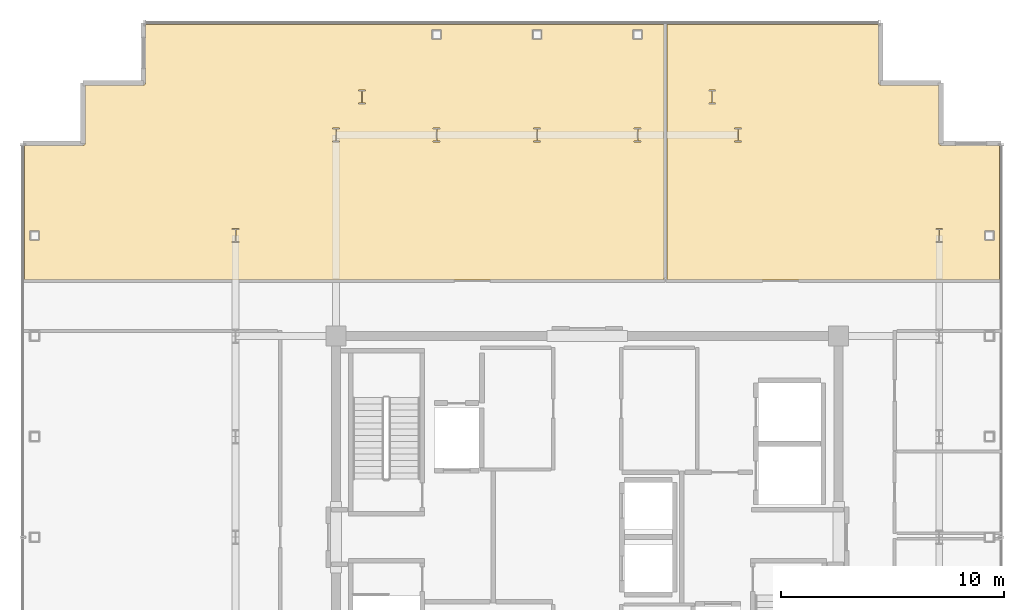
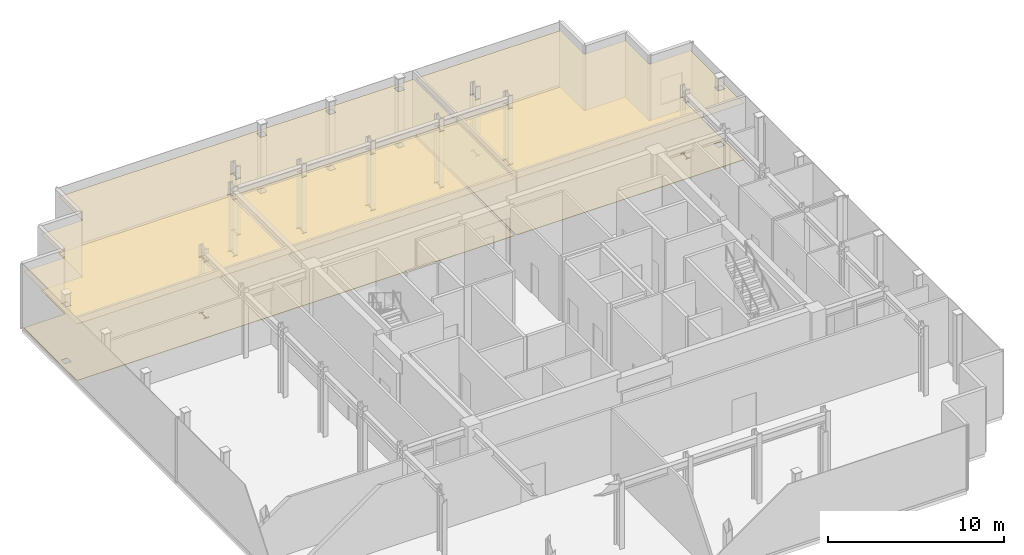
# One storey, part 17 of 17: 4 coverings.
"""IFC4 building model written with IfcOpenShell, lengths in metres."""

import ifcopenshell
import ifcopenshell.guid

model = None  # the IFC model being written
_history = None  # IfcOwnerHistory: only IFC2X3 demands one
_inside = {}  # id of a spatial element -> (the spatial element, [elements in it])
_under = {}  # id of a project, library or spatial element -> (it, [spatial elements below it])
_declared = {}  # id of a project -> (the project, [libraries it declares])
_typed = {}  # id of a type object -> (the type object, [elements of that type])
_made_of = {}  # id of a material, layer set ... -> (it, [elements and type objects made of it])


def new_model(schema):
    """Start an empty IFC model of exactly this schema.

    Asked for "IFC4X3", IfcOpenShell would pick the latest addendum, in which some entities
    have other attributes; the version numbers below select the first issue.
    IFC2X3 requires an IfcOwnerHistory on every rooted entity: one is made here for all.
    """
    global model, _history
    if schema == "IFC4X3":
        model = ifcopenshell.file(schema_version=(4, 3, 0, 0))
    else:
        model = ifcopenshell.file(schema=schema)
    _inside.clear()
    _under.clear()
    _declared.clear()
    _typed.clear()
    _made_of.clear()
    _history = None
    if model.schema == "IFC2X3":
        org = make("IfcOrganization", Name="unknown")
        user = make(
            "IfcPersonAndOrganization",
            ThePerson=make("IfcPerson", FamilyName="unknown"),
            TheOrganization=org,
        )
        app = make(
            "IfcApplication",
            ApplicationDeveloper=org,
            Version="unknown",
            ApplicationFullName="unknown",
            ApplicationIdentifier="unknown",
        )
        _history = make(
            "IfcOwnerHistory",
            OwningUser=user,
            OwningApplication=app,
            ChangeAction="ADDED",
            CreationDate=0,
        )
    return model


def make(cls, **values):
    """One entity of the class cls with the attributes given. An attribute that is None is left unset."""
    return model.create_entity(
        cls, **{name: value for name, value in values.items() if value is not None}
    )


def rooted(cls, **values):
    """An entity with a GlobalId (a new one), such as an element, a storey or a relation."""
    return make(cls, GlobalId=ifcopenshell.guid.new(), OwnerHistory=_history, **values)


def si_unit(unit_type, name, prefix=None):
    """IfcSIUnit, for example si_unit("LENGTHUNIT", "METRE", prefix="MILLI")."""
    return make("IfcSIUnit", UnitType=unit_type, Prefix=prefix, Name=name)


def assignment(units):
    """IfcUnitAssignment: the units of a project."""
    return None if units is None else make("IfcUnitAssignment", Units=units)


def point(xyz):
    """IfcCartesianPoint."""
    return None if xyz is None else make("IfcCartesianPoint", Coordinates=xyz)


def direction(xyz):
    """IfcDirection."""
    return None if xyz is None else make("IfcDirection", DirectionRatios=xyz)


def frame(location, z_axis=None, x_axis=None):
    """IfcAxis2Placement3D, a coordinate frame: its origin and axes. An axis left out is left unset."""
    return make(
        "IfcAxis2Placement3D",
        Location=point(location),
        Axis=direction(z_axis),
        RefDirection=direction(x_axis),
    )


def origin():
    """The frame at (0, 0, 0) with its axes left unset."""
    return frame((0.0, 0.0, 0.0))


def place(relative_to, where):
    """IfcLocalPlacement: puts the frame where relative to a parent placement (None: the world)."""
    return make(
        "IfcLocalPlacement", PlacementRelTo=relative_to, RelativePlacement=where
    )


def context(
    kind, dimensions, precision=None, world=None, true_north=None, identifier=None
):
    """IfcGeometricRepresentationContext, for example the 3D "Model" context."""
    return make(
        "IfcGeometricRepresentationContext",
        ContextIdentifier=identifier,
        ContextType=kind,
        CoordinateSpaceDimension=dimensions,
        Precision=precision,
        WorldCoordinateSystem=world,
        TrueNorth=true_north,
    )


def subcontext(parent, identifier, kind, view, scale=None):
    """IfcGeometricRepresentationSubContext, for example "Body" below "Model"."""
    return make(
        "IfcGeometricRepresentationSubContext",
        ContextIdentifier=identifier,
        ContextType=kind,
        ParentContext=parent,
        TargetScale=scale,
        TargetView=view,
    )


def project(units=None, contexts=None):
    """IfcProject with its units and contexts."""
    return rooted(
        "IfcProject",
        Name="project",
        RepresentationContexts=contexts,
        UnitsInContext=assignment(units),
    )


def spatial(cls, under=None, at=None, **own):
    """A site, building, storey or space (cls), placed at a placement, below another one or the project."""
    s = rooted(cls, ObjectPlacement=at, **own)
    if under is not None:
        _under.setdefault(under.id(), (under, []))[1].append(s)
    return s


def polyline(points):
    """IfcPolyline through the points."""
    return make("IfcPolyline", Points=[point(p) for p in points])


def outline(outer, holes=None, kind="AREA"):
    """IfcArbitraryClosedProfileDef: a profile drawn as a closed curve; with holes, ...WithVoids."""
    if holes is None:
        return make("IfcArbitraryClosedProfileDef", ProfileType=kind, OuterCurve=outer)
    return make(
        "IfcArbitraryProfileDefWithVoids",
        ProfileType=kind,
        OuterCurve=outer,
        InnerCurves=holes,
    )


def extrude(swept, where, along, depth):
    """IfcExtrudedAreaSolid: the profile swept, set in the frame where, extruded along a direction by depth."""
    return make(
        "IfcExtrudedAreaSolid",
        SweptArea=swept,
        Position=where,
        ExtrudedDirection=direction(along),
        Depth=depth,
    )


def shape(context_of_items, identifier, shape_type, items):
    """IfcShapeRepresentation: the items that make up one representation, for example the "Body"."""
    return make(
        "IfcShapeRepresentation",
        ContextOfItems=context_of_items,
        RepresentationIdentifier=identifier,
        RepresentationType=shape_type,
        Items=items,
    )


def material(Name=None, Category=None):
    """IfcMaterial."""
    return make("IfcMaterial", Name=Name, Category=Category)


def layer(
    of_material, thickness, ventilated=None, Name=None, Category=None, Priority=None
):
    """IfcMaterialLayer: one layer of a wall or slab, of a material (None: an air gap)."""
    return make(
        "IfcMaterialLayer",
        Material=of_material,
        LayerThickness=thickness,
        IsVentilated=ventilated,
        Name=Name,
        Category=Category,
        Priority=Priority,
    )


def layer_set(layers, Name=None):
    """IfcMaterialLayerSet."""
    return make("IfcMaterialLayerSet", MaterialLayers=layers, LayerSetName=Name)


def made_of(thing, what):
    """Note that an element or type object is made of a material, layer set ...; save() writes the relation."""
    if what is not None:
        _made_of.setdefault(what.id(), (what, []))[1].append(thing)
    return thing


def type_object(cls, material=None, **own):
    """A type object (cls), such as IfcWallType, which elements share."""
    return made_of(rooted(cls, **own), material)


def element(
    cls,
    number,
    at=None,
    inside=None,
    cuts=None,
    type_object=None,
    material=None,
    context=None,
    identifier="Body",
    shape_type=None,
    held_by="IfcProductDefinitionShape",
    body=None,
    shapes=None,
    **own,
):
    """One element of the class cls, such as IfcWall. Its Tag is "e" and its number.

    at: its placement. inside: the storey or other place that contains it. cuts: it is an
    opening in that element (IfcRelVoidsElement). A single representation is given by context,
    identifier, shape_type and body (its items); several are given by shapes. held_by: the class
    of the entity that holds the representations. save() writes the other relations.
    """
    e = rooted(cls, Tag="e%d" % number, ObjectPlacement=at, **own)
    if body is not None:
        shapes = [shape(context, identifier, shape_type, body)]
    if shapes is not None:
        e.Representation = make(held_by, Representations=shapes)
    if inside is not None:
        _inside.setdefault(inside.id(), (inside, []))[1].append(e)
    if cuts is not None:
        rooted(
            "IfcRelVoidsElement", RelatingBuildingElement=cuts, RelatedOpeningElement=e
        )
    if type_object is not None:
        _typed.setdefault(type_object.id(), (type_object, []))[1].append(e)
    return made_of(e, material)


def aggregate(whole, parts):
    """IfcRelAggregates: a whole, such as a stair, and the parts it consists of."""
    return rooted("IfcRelAggregates", RelatingObject=whole, RelatedObjects=parts)


def save(model, path):
    """Write the relations noted so far, then the file.

    IfcRelAggregates (storeys below a building ...), IfcRelContainedInSpatialStructure (elements
    in a storey), IfcRelDefinesByType, IfcRelAssociatesMaterial and IfcRelDeclares: one each for
    every whole, place, type object, material and project.
    """
    for whole, parts in _under.values():
        aggregate(whole, parts)
    for where, things in _inside.values():
        rooted(
            "IfcRelContainedInSpatialStructure",
            RelatedElements=things,
            RelatingStructure=where,
        )
    for kind, things in _typed.values():
        rooted("IfcRelDefinesByType", RelatedObjects=things, RelatingType=kind)
    for what, things in _made_of.values():
        rooted("IfcRelAssociatesMaterial", RelatedObjects=things, RelatingMaterial=what)
    for by, libraries in _declared.values():
        rooted("IfcRelDeclares", RelatingContext=by, RelatedDefinitions=libraries)
    model.write(path)


model = new_model("IFC4")

# Units and contexts
model_context = context("Model", 3, precision=1e-05, world=origin(), true_north=direction((0.0, 1.0)))
body_context = subcontext(model_context, "Body", "Model", "MODEL_VIEW")
ifc_project = project(units=[si_unit("LENGTHUNIT", "METRE"), si_unit("AREAUNIT", "SQUARE_METRE"), si_unit("VOLUMEUNIT", "CUBIC_METRE"), si_unit("PLANEANGLEUNIT", "RADIAN"), si_unit("MASSUNIT", "GRAM", prefix="KILO")], contexts=[model_context])

# Site, building, storey
site_placement = place(None, origin())
site = spatial("IfcSite", under=ifc_project, at=site_placement, CompositionType="ELEMENT")
building_placement = place(site_placement, origin())
building = spatial("IfcBuilding", under=site, at=building_placement, Name="Nefas-Gora Pilgrimage Tower", CompositionType="ELEMENT")
storey_placement = place(building_placement, frame((0.0, 0.0, 353.800048828125)))
storey = spatial("IfcBuildingStorey", under=building, at=storey_placement, Name="L89", CompositionType="ELEMENT", Elevation=353.800048828125)

# Coverings
ifc_material_1 = material(Name="Perforated gypsum acoustic ceiling")
ifc_layer_1 = layer(ifc_material_1, 0.02490234375)
ifc_layer_set_1 = layer_set([ifc_layer_1], Name="Perforated gypsum acoustic ceiling")
covering_type_1 = type_object("IfcCoveringType", Name="COV-CEIL-ACOUST", PredefinedType="CEILING", material=ifc_layer_set_1)
covering_1_placement = place(storey_placement, frame((0.0, 0.0, 3.905029296875)))
element("IfcCovering", 1, at=covering_1_placement, inside=storey, type_object=covering_type_1, Name="L89 Acoustic Suspended Ceiling (Addis Ababa North Horizon Observation Deck)", PredefinedType="CEILING", context=body_context, shape_type="SweptSolid", body=[
    extrude(outline(polyline([(-25.18994140625, 17.5400390625), (-25.18994140625, 11.510009765625), (-13.719970703125, 11.510009765625), (3.43994140625, 11.510009765625), (3.43994140625, 22.93994140625), (-19.7900390625, 22.93994140625), (-19.7900390625, 20.320068359375), (-19.790283203125, 20.312255859375), (-19.79150390625, 20.304443359375), (-19.79345703125, 20.296875), (-19.796142578125, 20.289306640625), (-19.79931640625, 20.2822265625), (-19.803466796875, 20.275634765625), (-19.80810546875, 20.269287109375), (-19.8134765625, 20.263427734375), (-19.819091796875, 20.25830078125), (-19.82568359375, 20.25341796875), (-19.832275390625, 20.24951171875), (-19.83935546875, 20.24609375), (-19.8466796875, 20.243408203125), (-19.8544921875, 20.241455078125), (-19.8623046875, 20.240478515625), (-19.8701171875, 20.239990234375), (-22.489990234375, 20.239990234375), (-22.489990234375, 17.6201171875), (-22.490478515625, 17.6123046875), (-22.491455078125, 17.6044921875), (-22.493408203125, 17.5966796875), (-22.49609375, 17.58935546875), (-22.49951171875, 17.582275390625), (-22.50341796875, 17.57568359375), (-22.50830078125, 17.569091796875), (-22.513427734375, 17.5634765625), (-22.519287109375, 17.55810546875), (-22.525634765625, 17.553466796875), (-22.5322265625, 17.54931640625), (-22.539306640625, 17.546142578125), (-22.546875, 17.54345703125), (-22.554443359375, 17.54150390625), (-22.562255859375, 17.540283203125), (-22.570068359375, 17.5400390625), (-25.18994140625, 17.5400390625)]), holes=[polyline([(2.451904296875, 22.701904296875), (2.451904296875, 22.298095703125), (2.048095703125, 22.298095703125), (2.048095703125, 22.701904296875), (2.451904296875, 22.701904296875)]), polyline([(2.404541015625, 18.31201171875), (2.404541015625, 18.26806640625), (2.262451171875, 18.26806640625), (2.262451171875, 17.73193359375), (2.404541015625, 17.73193359375), (2.404541015625, 17.68798828125), (2.095458984375, 17.68798828125), (2.095458984375, 17.73193359375), (2.237548828125, 17.73193359375), (2.237548828125, 18.26806640625), (2.095458984375, 18.26806640625), (2.095458984375, 18.31201171875), (2.404541015625, 18.31201171875)]), polyline([(-2.048095703125, 22.701904296875), (-2.048095703125, 22.298095703125), (-2.451904296875, 22.298095703125), (-2.451904296875, 22.701904296875), (-2.048095703125, 22.701904296875)]), polyline([(-2.404541015625, 18.31201171875), (-2.095458984375, 18.31201171875), (-2.095458984375, 18.26806640625), (-2.237548828125, 18.26806640625), (-2.237548828125, 17.73193359375), (-2.095458984375, 17.73193359375), (-2.095458984375, 17.68798828125), (-2.404541015625, 17.68798828125), (-2.404541015625, 17.73193359375), (-2.262451171875, 17.73193359375), (-2.262451171875, 18.26806640625), (-2.404541015625, 18.26806640625), (-2.404541015625, 18.31201171875)]), polyline([(-6.548095703125, 22.701904296875), (-6.548095703125, 22.298095703125), (-6.951904296875, 22.298095703125), (-6.951904296875, 22.701904296875), (-6.548095703125, 22.701904296875)]), polyline([(-6.595458984375, 18.31201171875), (-6.595458984375, 18.26806640625), (-6.737548828125, 18.26806640625), (-6.737548828125, 17.73193359375), (-6.595458984375, 17.73193359375), (-6.595458984375, 17.68798828125), (-6.904541015625, 17.68798828125), (-6.904541015625, 17.73193359375), (-6.762451171875, 17.73193359375), (-6.762451171875, 18.26806640625), (-6.904541015625, 18.26806640625), (-6.904541015625, 18.31201171875), (-6.595458984375, 18.31201171875)]), polyline([(-10.24560546875, 20.008056640625), (-9.9365234375, 20.008056640625), (-9.9365234375, 19.964111328125), (-10.07861328125, 19.964111328125), (-10.07861328125, 19.427978515625), (-9.9365234375, 19.427978515625), (-9.9365234375, 19.384033203125), (-10.24560546875, 19.384033203125), (-10.24560546875, 19.427978515625), (-10.103515625, 19.427978515625), (-10.103515625, 19.964111328125), (-10.24560546875, 19.964111328125), (-10.24560546875, 20.008056640625)]), polyline([(-11.095458984375, 18.31201171875), (-11.095458984375, 18.26806640625), (-11.237548828125, 18.26806640625), (-11.237548828125, 17.73193359375), (-11.095458984375, 17.73193359375), (-11.095458984375, 17.68798828125), (-11.404541015625, 17.68798828125), (-11.404541015625, 17.73193359375), (-11.262451171875, 17.73193359375), (-11.262451171875, 18.26806640625), (-11.404541015625, 18.26806640625), (-11.404541015625, 18.31201171875), (-11.095458984375, 18.31201171875)]), polyline([(-15.904541015625, 13.81201171875), (-15.595458984375, 13.81201171875), (-15.595458984375, 13.76806640625), (-15.737548828125, 13.76806640625), (-15.737548828125, 13.23193359375), (-15.595458984375, 13.23193359375), (-15.595458984375, 13.18798828125), (-15.904541015625, 13.18798828125), (-15.904541015625, 13.23193359375), (-15.762451171875, 13.23193359375), (-15.762451171875, 13.76806640625), (-15.904541015625, 13.76806640625), (-15.904541015625, 13.81201171875)]), polyline([(-24.548095703125, 13.701904296875), (-24.548095703125, 13.298095703125), (-24.951904296875, 13.298095703125), (-24.951904296875, 13.701904296875), (-24.548095703125, 13.701904296875)])]), origin(), (0.0, 0.0, 1.0), 0.02490234375),
])
covering_2_placement = place(storey_placement, frame((0.0, 0.0, 3.905029296875)))
element("IfcCovering", 2, at=covering_2_placement, inside=storey, type_object=covering_type_1, Name="L89 Acoustic Suspended Ceiling (Entoto Ridge Viewing Gallery)", PredefinedType="CEILING", context=body_context, shape_type="SweptSolid", body=[
    extrude(outline(polyline([(13.0400390625, 22.93994140625), (3.56005859375, 22.93994140625), (3.56005859375, 11.510009765625), (13.719970703125, 11.510009765625), (18.43994140625, 11.510009765625), (18.43994140625, 17.5400390625), (15.820068359375, 17.5400390625), (15.812255859375, 17.540283203125), (15.804443359375, 17.54150390625), (15.796875, 17.54345703125), (15.789306640625, 17.546142578125), (15.7822265625, 17.54931640625), (15.775634765625, 17.553466796875), (15.769287109375, 17.55810546875), (15.763427734375, 17.5634765625), (15.75830078125, 17.569091796875), (15.75341796875, 17.57568359375), (15.74951171875, 17.582275390625), (15.74609375, 17.58935546875), (15.743408203125, 17.5966796875), (15.741455078125, 17.6044921875), (15.740478515625, 17.6123046875), (15.739990234375, 17.6201171875), (15.739990234375, 20.239990234375), (13.1201171875, 20.239990234375), (13.1123046875, 20.240478515625), (13.1044921875, 20.241455078125), (13.0966796875, 20.243408203125), (13.08935546875, 20.24609375), (13.082275390625, 20.24951171875), (13.07568359375, 20.25341796875), (13.069091796875, 20.25830078125), (13.0634765625, 20.263427734375), (13.05810546875, 20.269287109375), (13.053466796875, 20.275634765625), (13.04931640625, 20.2822265625), (13.046142578125, 20.289306640625), (13.04345703125, 20.296875), (13.04150390625, 20.304443359375), (13.040283203125, 20.312255859375), (13.0400390625, 20.320068359375), (13.0400390625, 22.93994140625)]), holes=[polyline([(18.201904296875, 13.701904296875), (18.201904296875, 13.298095703125), (17.798095703125, 13.298095703125), (17.798095703125, 13.701904296875), (18.201904296875, 13.701904296875)]), polyline([(15.904541015625, 13.81201171875), (15.904541015625, 13.76806640625), (15.762451171875, 13.76806640625), (15.762451171875, 13.23193359375), (15.904541015625, 13.23193359375), (15.904541015625, 13.18798828125), (15.595458984375, 13.18798828125), (15.595458984375, 13.23193359375), (15.737548828125, 13.23193359375), (15.737548828125, 13.76806640625), (15.595458984375, 13.76806640625), (15.595458984375, 13.81201171875), (15.904541015625, 13.81201171875)]), polyline([(6.904541015625, 18.31201171875), (6.904541015625, 18.26806640625), (6.762451171875, 18.26806640625), (6.762451171875, 17.73193359375), (6.904541015625, 17.73193359375), (6.904541015625, 17.68798828125), (6.595458984375, 17.68798828125), (6.595458984375, 17.73193359375), (6.737548828125, 17.73193359375), (6.737548828125, 18.26806640625), (6.595458984375, 18.26806640625), (6.595458984375, 18.31201171875), (6.904541015625, 18.31201171875)]), polyline([(5.74560546875, 20.008056640625), (5.74560546875, 19.964111328125), (5.603515625, 19.964111328125), (5.603515625, 19.427978515625), (5.74560546875, 19.427978515625), (5.74560546875, 19.384033203125), (5.4365234375, 19.384033203125), (5.4365234375, 19.427978515625), (5.57861328125, 19.427978515625), (5.57861328125, 19.964111328125), (5.4365234375, 19.964111328125), (5.4365234375, 20.008056640625), (5.74560546875, 20.008056640625)])]), origin(), (0.0, 0.0, 1.0), 0.02490234375),
])
ifc_material_2 = material(Name="Honed granite stone flooring", Category="masonry")
ifc_layer_2 = layer(ifc_material_2, 0.030029296875)
ifc_layer_set_2 = layer_set([ifc_layer_2], Name="Honed granite stone flooring")
covering_type_2 = type_object("IfcCoveringType", Name="COV-FLOR-GRAN", PredefinedType="FLOORING", material=ifc_layer_set_2)
covering_3_placement = place(storey_placement, origin())
element("IfcCovering", 3, at=covering_3_placement, inside=storey, type_object=covering_type_2, Name="L89 Honed Granite Flooring (Addis Ababa North Horizon Observation Deck)", PredefinedType="FLOORING", context=body_context, shape_type="SweptSolid", body=[
    extrude(outline(polyline([(-25.18994140625, 17.5400390625), (-25.18994140625, 11.510009765625), (-13.719970703125, 11.510009765625), (3.43994140625, 11.510009765625), (3.43994140625, 22.93994140625), (-19.7900390625, 22.93994140625), (-19.7900390625, 20.320068359375), (-19.790283203125, 20.312255859375), (-19.79150390625, 20.304443359375), (-19.79345703125, 20.296875), (-19.796142578125, 20.289306640625), (-19.79931640625, 20.2822265625), (-19.803466796875, 20.275634765625), (-19.80810546875, 20.269287109375), (-19.8134765625, 20.263427734375), (-19.819091796875, 20.25830078125), (-19.82568359375, 20.25341796875), (-19.832275390625, 20.24951171875), (-19.83935546875, 20.24609375), (-19.8466796875, 20.243408203125), (-19.8544921875, 20.241455078125), (-19.8623046875, 20.240478515625), (-19.8701171875, 20.239990234375), (-22.489990234375, 20.239990234375), (-22.489990234375, 17.6201171875), (-22.490478515625, 17.6123046875), (-22.491455078125, 17.6044921875), (-22.493408203125, 17.5966796875), (-22.49609375, 17.58935546875), (-22.49951171875, 17.582275390625), (-22.50341796875, 17.57568359375), (-22.50830078125, 17.569091796875), (-22.513427734375, 17.5634765625), (-22.519287109375, 17.55810546875), (-22.525634765625, 17.553466796875), (-22.5322265625, 17.54931640625), (-22.539306640625, 17.546142578125), (-22.546875, 17.54345703125), (-22.554443359375, 17.54150390625), (-22.562255859375, 17.540283203125), (-22.570068359375, 17.5400390625), (-25.18994140625, 17.5400390625)]), holes=[polyline([(2.451904296875, 22.701904296875), (2.451904296875, 22.298095703125), (2.048095703125, 22.298095703125), (2.048095703125, 22.701904296875), (2.451904296875, 22.701904296875)]), polyline([(2.404541015625, 18.31201171875), (2.404541015625, 18.26806640625), (2.262451171875, 18.26806640625), (2.262451171875, 17.73193359375), (2.404541015625, 17.73193359375), (2.404541015625, 17.68798828125), (2.095458984375, 17.68798828125), (2.095458984375, 17.73193359375), (2.237548828125, 17.73193359375), (2.237548828125, 18.26806640625), (2.095458984375, 18.26806640625), (2.095458984375, 18.31201171875), (2.404541015625, 18.31201171875)]), polyline([(-2.048095703125, 22.701904296875), (-2.048095703125, 22.298095703125), (-2.451904296875, 22.298095703125), (-2.451904296875, 22.701904296875), (-2.048095703125, 22.701904296875)]), polyline([(-2.404541015625, 18.31201171875), (-2.095458984375, 18.31201171875), (-2.095458984375, 18.26806640625), (-2.237548828125, 18.26806640625), (-2.237548828125, 17.73193359375), (-2.095458984375, 17.73193359375), (-2.095458984375, 17.68798828125), (-2.404541015625, 17.68798828125), (-2.404541015625, 17.73193359375), (-2.262451171875, 17.73193359375), (-2.262451171875, 18.26806640625), (-2.404541015625, 18.26806640625), (-2.404541015625, 18.31201171875)]), polyline([(-6.548095703125, 22.701904296875), (-6.548095703125, 22.298095703125), (-6.951904296875, 22.298095703125), (-6.951904296875, 22.701904296875), (-6.548095703125, 22.701904296875)]), polyline([(-6.595458984375, 18.31201171875), (-6.595458984375, 18.26806640625), (-6.737548828125, 18.26806640625), (-6.737548828125, 17.73193359375), (-6.595458984375, 17.73193359375), (-6.595458984375, 17.68798828125), (-6.904541015625, 17.68798828125), (-6.904541015625, 17.73193359375), (-6.762451171875, 17.73193359375), (-6.762451171875, 18.26806640625), (-6.904541015625, 18.26806640625), (-6.904541015625, 18.31201171875), (-6.595458984375, 18.31201171875)]), polyline([(-10.24560546875, 20.008056640625), (-9.9365234375, 20.008056640625), (-9.9365234375, 19.964111328125), (-10.07861328125, 19.964111328125), (-10.07861328125, 19.427978515625), (-9.9365234375, 19.427978515625), (-9.9365234375, 19.384033203125), (-10.24560546875, 19.384033203125), (-10.24560546875, 19.427978515625), (-10.103515625, 19.427978515625), (-10.103515625, 19.964111328125), (-10.24560546875, 19.964111328125), (-10.24560546875, 20.008056640625)]), polyline([(-11.095458984375, 18.31201171875), (-11.095458984375, 18.26806640625), (-11.237548828125, 18.26806640625), (-11.237548828125, 17.73193359375), (-11.095458984375, 17.73193359375), (-11.095458984375, 17.68798828125), (-11.404541015625, 17.68798828125), (-11.404541015625, 17.73193359375), (-11.262451171875, 17.73193359375), (-11.262451171875, 18.26806640625), (-11.404541015625, 18.26806640625), (-11.404541015625, 18.31201171875), (-11.095458984375, 18.31201171875)]), polyline([(-15.904541015625, 13.81201171875), (-15.595458984375, 13.81201171875), (-15.595458984375, 13.76806640625), (-15.737548828125, 13.76806640625), (-15.737548828125, 13.23193359375), (-15.595458984375, 13.23193359375), (-15.595458984375, 13.18798828125), (-15.904541015625, 13.18798828125), (-15.904541015625, 13.23193359375), (-15.762451171875, 13.23193359375), (-15.762451171875, 13.76806640625), (-15.904541015625, 13.76806640625), (-15.904541015625, 13.81201171875)]), polyline([(-24.548095703125, 13.701904296875), (-24.548095703125, 13.298095703125), (-24.951904296875, 13.298095703125), (-24.951904296875, 13.701904296875), (-24.548095703125, 13.701904296875)])]), origin(), (0.0, 0.0, 1.0), 0.030029296875),
])
covering_4_placement = place(storey_placement, origin())
element("IfcCovering", 4, at=covering_4_placement, inside=storey, type_object=covering_type_2, Name="L89 Honed Granite Flooring (Entoto Ridge Viewing Gallery)", PredefinedType="FLOORING", context=body_context, shape_type="SweptSolid", body=[
    extrude(outline(polyline([(13.0400390625, 22.93994140625), (3.56005859375, 22.93994140625), (3.56005859375, 11.510009765625), (13.719970703125, 11.510009765625), (18.43994140625, 11.510009765625), (18.43994140625, 17.5400390625), (15.820068359375, 17.5400390625), (15.812255859375, 17.540283203125), (15.804443359375, 17.54150390625), (15.796875, 17.54345703125), (15.789306640625, 17.546142578125), (15.7822265625, 17.54931640625), (15.775634765625, 17.553466796875), (15.769287109375, 17.55810546875), (15.763427734375, 17.5634765625), (15.75830078125, 17.569091796875), (15.75341796875, 17.57568359375), (15.74951171875, 17.582275390625), (15.74609375, 17.58935546875), (15.743408203125, 17.5966796875), (15.741455078125, 17.6044921875), (15.740478515625, 17.6123046875), (15.739990234375, 17.6201171875), (15.739990234375, 20.239990234375), (13.1201171875, 20.239990234375), (13.1123046875, 20.240478515625), (13.1044921875, 20.241455078125), (13.0966796875, 20.243408203125), (13.08935546875, 20.24609375), (13.082275390625, 20.24951171875), (13.07568359375, 20.25341796875), (13.069091796875, 20.25830078125), (13.0634765625, 20.263427734375), (13.05810546875, 20.269287109375), (13.053466796875, 20.275634765625), (13.04931640625, 20.2822265625), (13.046142578125, 20.289306640625), (13.04345703125, 20.296875), (13.04150390625, 20.304443359375), (13.040283203125, 20.312255859375), (13.0400390625, 20.320068359375), (13.0400390625, 22.93994140625)]), holes=[polyline([(18.201904296875, 13.701904296875), (18.201904296875, 13.298095703125), (17.798095703125, 13.298095703125), (17.798095703125, 13.701904296875), (18.201904296875, 13.701904296875)]), polyline([(15.904541015625, 13.81201171875), (15.904541015625, 13.76806640625), (15.762451171875, 13.76806640625), (15.762451171875, 13.23193359375), (15.904541015625, 13.23193359375), (15.904541015625, 13.18798828125), (15.595458984375, 13.18798828125), (15.595458984375, 13.23193359375), (15.737548828125, 13.23193359375), (15.737548828125, 13.76806640625), (15.595458984375, 13.76806640625), (15.595458984375, 13.81201171875), (15.904541015625, 13.81201171875)]), polyline([(6.904541015625, 18.31201171875), (6.904541015625, 18.26806640625), (6.762451171875, 18.26806640625), (6.762451171875, 17.73193359375), (6.904541015625, 17.73193359375), (6.904541015625, 17.68798828125), (6.595458984375, 17.68798828125), (6.595458984375, 17.73193359375), (6.737548828125, 17.73193359375), (6.737548828125, 18.26806640625), (6.595458984375, 18.26806640625), (6.595458984375, 18.31201171875), (6.904541015625, 18.31201171875)]), polyline([(5.74560546875, 20.008056640625), (5.74560546875, 19.964111328125), (5.603515625, 19.964111328125), (5.603515625, 19.427978515625), (5.74560546875, 19.427978515625), (5.74560546875, 19.384033203125), (5.4365234375, 19.384033203125), (5.4365234375, 19.427978515625), (5.57861328125, 19.427978515625), (5.57861328125, 19.964111328125), (5.4365234375, 19.964111328125), (5.4365234375, 20.008056640625), (5.74560546875, 20.008056640625)])]), origin(), (0.0, 0.0, 1.0), 0.030029296875),
])

save(model, "model.ifc")
